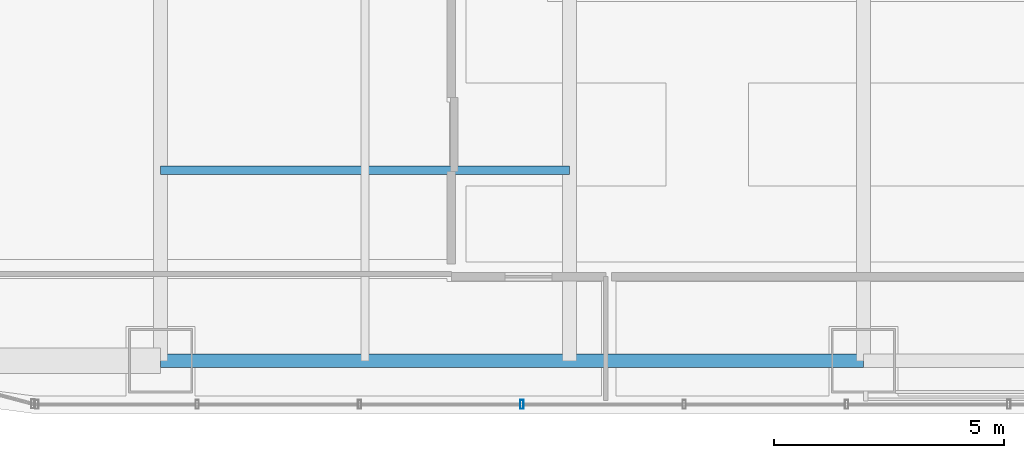
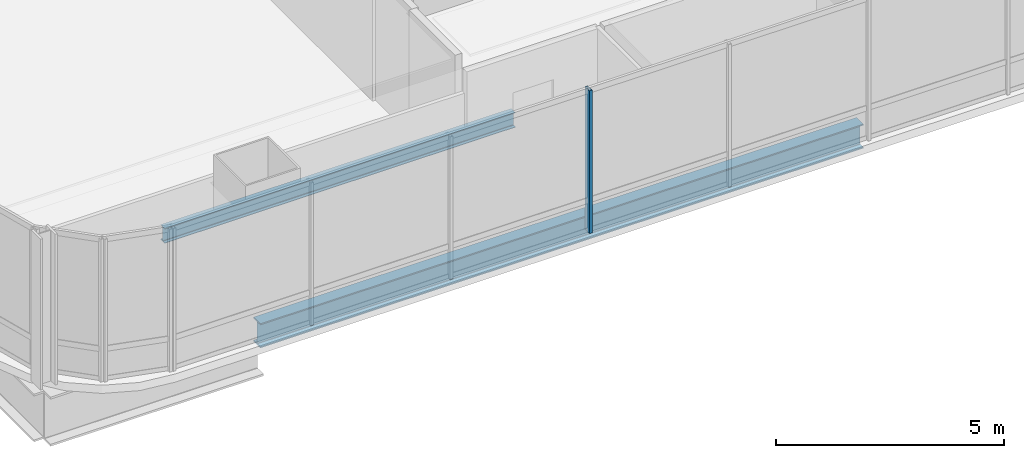
# One storey, part 3 of 38: 2 beams, 1 member, 1 element without a shape of its own.
"""IFC4 building model written with IfcOpenShell, lengths in metres."""

from ifc_helpers import new_model, si_unit, direction, frame, origin, origin_2d, place, context, subcontext, project, spatial, hollow_rectangle, i_section, extrude, material, material_profile, profile_set, type_object, element, aggregate, save


model = new_model("IFC4")

# Units and contexts
model_context = context("Model", 3, precision=1e-05, world=origin(), true_north=direction((0.0, 1.0)))
body_context = subcontext(model_context, "Body", "Model", "MODEL_VIEW")
ifc_project = project(units=[si_unit("LENGTHUNIT", "METRE"), si_unit("AREAUNIT", "SQUARE_METRE"), si_unit("VOLUMEUNIT", "CUBIC_METRE"), si_unit("PLANEANGLEUNIT", "RADIAN"), si_unit("MASSUNIT", "GRAM", prefix="KILO")], contexts=[model_context])

# Site, building, storey
site_placement = place(None, origin())
site = spatial("IfcSite", under=ifc_project, at=site_placement, CompositionType="ELEMENT")
building_placement = place(site_placement, origin())
building = spatial("IfcBuilding", under=site, at=building_placement, Name="Punatoya Terracotta Tower", CompositionType="ELEMENT")
storey_placement = place(building_placement, frame((0.0, 0.0, 160.050048828125)))
storey = spatial("IfcBuildingStorey", under=building, at=storey_placement, Name="L37", CompositionType="ELEMENT", Elevation=160.050048828125)

# Beams
ifc_material_1 = material(Name="Steel S355", Category="steel")
ifc_material_profile_1 = material_profile(ifc_material_1, i_section(OverallWidth=0.300048828125, OverallDepth=0.64990234375, WebThickness=0.01611328125, FlangeThickness=0.031005859375, FilletRadius=0.01806640625, at=origin_2d()))
ifc_profile_set_1 = profile_set([ifc_material_profile_1], Name="Steel S355")
beam_type_1 = type_object("IfcBeamType", Name="BM-PRI-650", PredefinedType="BEAM", material=ifc_profile_set_1)
beam_1_placement = place(storey_placement, frame((-19.10009765625, -17.5, -0.545166015625), z_axis=(1.0, 0.0, 0.0), x_axis=(0.0, 1.0, 0.0)))
element("IfcBeam", 1, at=beam_1_placement, inside=storey, type_object=beam_type_1, Name="BM-L37-RG-S1", PredefinedType="BEAM", context=body_context, shape_type="SweptSolid", body=[
    extrude(i_section(OverallWidth=0.300048828125, OverallDepth=0.64990234375, WebThickness=0.01611328125, FlangeThickness=0.031005859375, FilletRadius=0.01806640625, at=origin_2d()), origin(), (0.0, 0.0, 1.0), 15.300048828125),
])
ifc_material_profile_2 = material_profile(ifc_material_1, i_section(OverallWidth=0.179931640625, OverallDepth=0.39990234375, WebThickness=0.008544921875, FlangeThickness=0.013427734375, FilletRadius=0.01806640625, at=origin_2d()))
ifc_profile_set_2 = profile_set([ifc_material_profile_2], Name="Steel S355")
beam_type_2 = type_object("IfcBeamType", Name="BM-SEC-400", PredefinedType="JOIST", material=ifc_profile_set_2)
beam_2_placement = place(storey_placement, frame((-19.10009765625, -13.35009765625, -0.420166015625), z_axis=(1.0, 0.0, 0.0), x_axis=(0.0, 1.0, 0.0)))
element("IfcBeam", 2, at=beam_2_placement, inside=storey, type_object=beam_type_2, Name="BM-L37-SJS-1", PredefinedType="JOIST", context=body_context, shape_type="SweptSolid", body=[
    extrude(i_section(OverallWidth=0.179931640625, OverallDepth=0.39990234375, WebThickness=0.008544921875, FlangeThickness=0.013427734375, FilletRadius=0.01806640625, at=origin_2d()), origin(), (0.0, 0.0, 1.0), 8.900146484375),
])

# Curtain wall, member
ifc_material_2 = material(Name="Aluminium 6063-T6 + Double Low-E Glass", Category="aluminium")
curtain_wall_type = type_object("IfcCurtainWallType", Name="CW-M2", PredefinedType="NOTDEFINED", material=ifc_material_2)
curtain_wall_placement = place(storey_placement, origin())
curtain_wall = element("IfcCurtainWall", 3, at=curtain_wall_placement, inside=storey, type_object=curtain_wall_type, Name="L37 Curtain Wall CW-L37-S01-1", PredefinedType="NOTDEFINED")
ifc_material_3 = material(Name="Aluminium 6063-T6", Category="aluminium")
ifc_material_profile_3 = material_profile(ifc_material_3, hollow_rectangle(XDim=0.072021484375, YDim=0.195068359375, WallThickness=0.00439453125, at=origin_2d()))
ifc_profile_set_3 = profile_set([ifc_material_profile_3], Name="Aluminium 6063-T6")
member_type = type_object("IfcMemberType", Name="CW-MUL-M2", PredefinedType="MULLION", material=ifc_profile_set_3)
member_placement = place(storey_placement, frame((-11.235107421875, -18.449951171875, 0.0), z_axis=(0.0, 0.0, 1.0), x_axis=(1.0, 0.0, 0.0)))
member = element("IfcMember", 4, at=member_placement, type_object=member_type, Name="CW-L37-S01-1 Mullion 03", PredefinedType="MULLION", context=body_context, shape_type="SweptSolid", body=[
    extrude(hollow_rectangle(XDim=0.072021484375, YDim=0.195068359375, WallThickness=0.00439453125, at=origin_2d()), origin(), (0.0, 0.0, 1.0), 3.829833984375),
])
aggregate(curtain_wall, [member])

save(model, "model.ifc")
